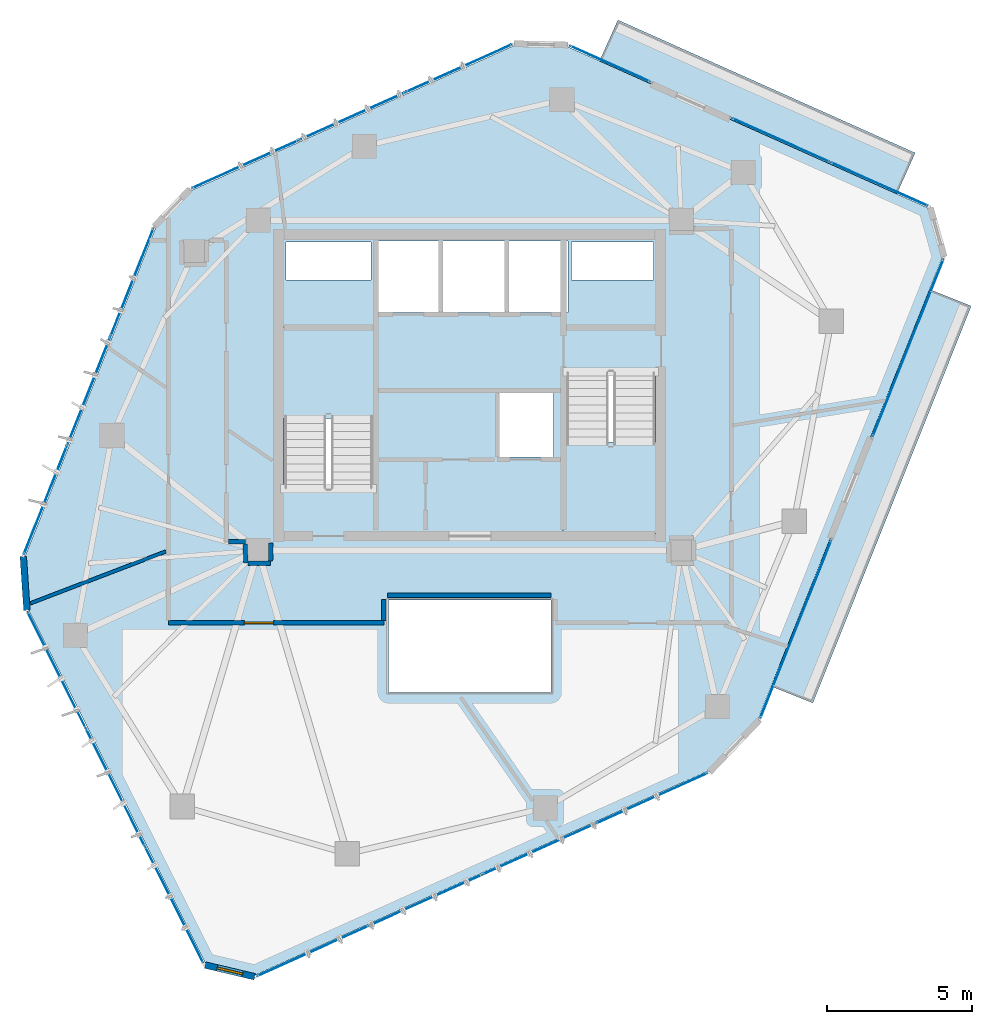
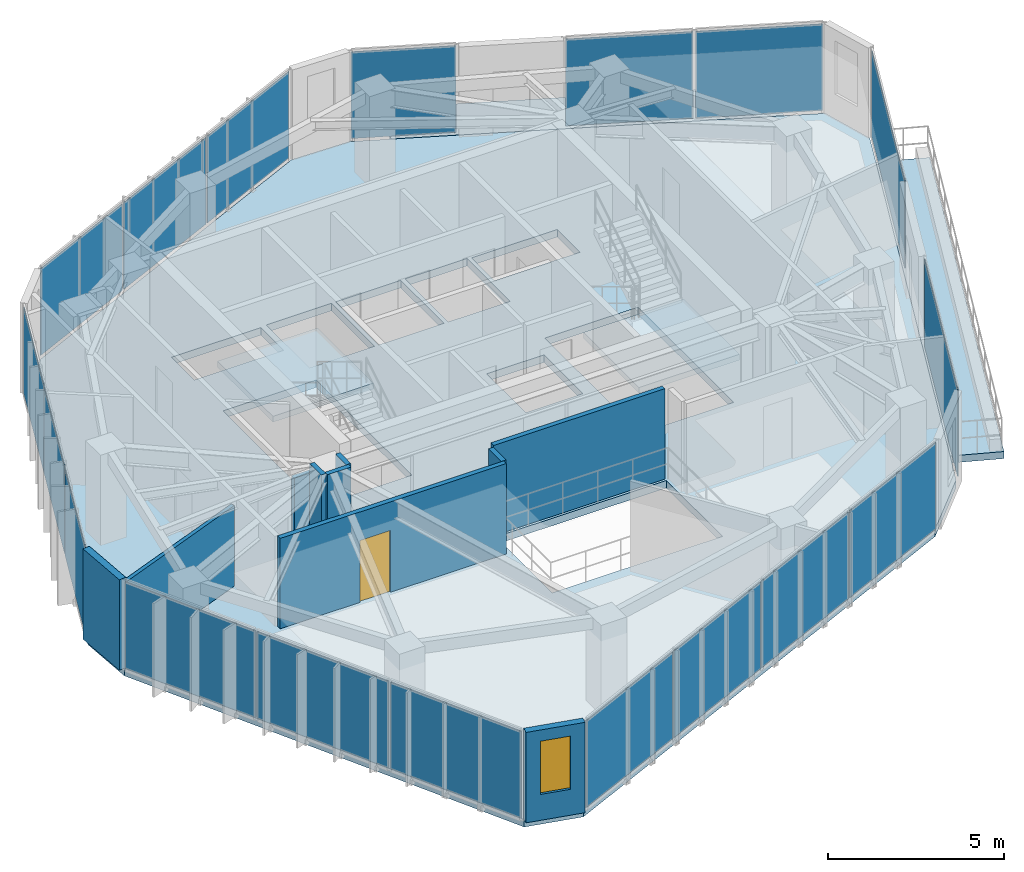
# One storey, part 16 of 21: 18 plates, 10 walls, 5 slabs, 1 door, 1 window, 2 openings, 10 elements without a shape of their own.
"""IFC4 building model written with IfcOpenShell, lengths in metres."""

from ifc_helpers import new_model, si_unit, direction, frame, frame_2d, origin, origin_2d, place, context, subcontext, project, spatial, polyline, rectangle, outline, extrude, source, transform, mapped, material, layer, layer_set, type_object, type_shapes, element, fill, aggregate, save


model = new_model("IFC4")

# Units and contexts
model_context = context("Model", 3, precision=1e-05, world=origin(), true_north=direction((0.0, 1.0)))
body_context = subcontext(model_context, "Body", "Model", "MODEL_VIEW")
ifc_project = project(units=[si_unit("LENGTHUNIT", "METRE"), si_unit("AREAUNIT", "SQUARE_METRE"), si_unit("VOLUMEUNIT", "CUBIC_METRE"), si_unit("PLANEANGLEUNIT", "RADIAN"), si_unit("MASSUNIT", "GRAM", prefix="KILO")], contexts=[model_context])

# Site, building, storey
site_placement = place(None, origin())
site = spatial("IfcSite", under=ifc_project, at=site_placement, CompositionType="ELEMENT")
building_placement = place(site_placement, origin())
building = spatial("IfcBuilding", under=site, at=building_placement, Name="Talar Marvaseh", CompositionType="ELEMENT")
storey_placement = place(building_placement, frame((0.0, 0.0, 271.39990234375)))
storey = spatial("IfcBuildingStorey", under=building, at=storey_placement, Name="L72", CompositionType="ELEMENT", Elevation=271.39990234375)

# Slabs
ifc_material_1 = material(Name="Concrete C40/50", Category="concrete")
ifc_layer_1 = layer(ifc_material_1, 0.2451171875)
ifc_layer_set_1 = layer_set([ifc_layer_1], Name="Concrete C40/50")
slab_type_1 = type_object("IfcSlabType", Name="External Cantilevered Planted Terrace Slab 245", PredefinedType="FLOOR", material=ifc_layer_set_1)
slab_1_placement = place(storey_placement, frame((0.0, 0.0, -0.244873046875)))
element("IfcSlab", 1, at=slab_1_placement, inside=storey, type_object=slab_type_1, Name="L72 Planted Balcony Terrace 1", PredefinedType="FLOOR", context=body_context, shape_type="SweptSolid", body=[
    extrude(outline(polyline([(30.482666015625, 42.391357421875), (40.738525390625, 37.804443359375), (41.371337890625, 39.219482421875), (31.115478515625, 43.80615234375), (30.482666015625, 42.391357421875)])), origin(), (0.0, 0.0, 1.0), 0.244873046875),
])
slab_2_placement = place(storey_placement, frame((0.0, 0.0, -0.244873046875)))
element("IfcSlab", 2, at=slab_2_placement, inside=storey, type_object=slab_type_1, Name="L72 Planted Balcony Terrace 2", PredefinedType="FLOOR", context=body_context, shape_type="SweptSolid", body=[
    extrude(outline(polyline([(41.868408203125, 34.5087890625), (36.40234375, 20.814208984375), (37.842041015625, 20.239501953125), (43.30810546875, 33.93408203125), (41.868408203125, 34.5087890625)])), origin(), (0.0, 0.0, 1.0), 0.244873046875),
])

# Stair, slab
stair_type = type_object("IfcStairType", Name="Reinforced Concrete High-Rise Exit Stair Type C", PredefinedType="HALF_TURN_STAIR", material=ifc_material_1)
stair_1_placement = place(storey_placement, origin())
stair_1 = element("IfcStair", 3, at=stair_1_placement, inside=storey, type_object=stair_type, Name="L72 Tower West Core Exit Stair", PredefinedType="HALF_TURN_STAIR")
ifc_layer_2 = layer(ifc_material_1, 0.199951171875)
ifc_layer_set_2 = layer_set([ifc_layer_2], Name="Concrete C40/50")
slab_type_2 = type_object("IfcSlabType", Name="Reinforced Concrete Stair Half-Landing Slab 200", PredefinedType="LANDING", material=ifc_layer_set_2)
slab_3_placement = place(storey_placement, frame((0.0, 0.0, 1.5)))
slab_3 = element("IfcSlab", 4, at=slab_3_placement, type_object=slab_type_2, Name="ST-1 landing 1", PredefinedType="LANDING", context=body_context, shape_type="SweptSolid", body=[
    extrude(outline(polyline([(22.780029296875, 30.050048828125), (22.780029296875, 33.219970703125), (19.47998046875, 33.219970703125), (19.47998046875, 30.050048828125), (22.780029296875, 30.050048828125)])), origin(), (0.0, 0.0, 1.0), 0.2001953125),
])
aggregate(stair_1, [slab_3])

stair_2_placement = place(storey_placement, origin())
stair_2 = element("IfcStair", 5, at=stair_2_placement, inside=storey, type_object=stair_type, Name="L72 Tower East Core Exit Stair", PredefinedType="HALF_TURN_STAIR")
slab_4_placement = place(storey_placement, frame((0.0, 0.0, 1.5)))
slab_4 = element("IfcSlab", 6, at=slab_4_placement, type_object=slab_type_2, Name="ST-2 landing 1", PredefinedType="LANDING", context=body_context, shape_type="SweptSolid", body=[
    extrude(outline(polyline([(29.219970703125, 29.25), (29.219970703125, 26.080078125), (32.52001953125, 26.080078125), (32.52001953125, 29.25), (29.219970703125, 29.25)])), origin(), (0.0, 0.0, 1.0), 0.2001953125),
])
aggregate(stair_2, [slab_4])

# Slab
ifc_layer_3 = layer(ifc_material_1, 0.260009765625)
ifc_layer_set_3 = layer_set([ifc_layer_3], Name="Concrete C40/50")
slab_type_3 = type_object("IfcSlabType", Name="Structural Suspended Floor Slab 260", PredefinedType="FLOOR", material=ifc_layer_set_3)
slab_5_placement = place(storey_placement, frame((0.0, 0.0, -0.260009765625)))
element("IfcSlab", 7, at=slab_5_placement, inside=storey, type_object=slab_type_3, Name="L72 Tower Floor Slab", PredefinedType="FLOOR", context=body_context, shape_type="SweptSolid", body=[
    extrude(outline(polyline([(18.59619140625, 10.847900390625), (16.885498046875, 11.2529296875), (10.78125, 23.445068359375), (10.65576171875, 25.297119140625), (15.165283203125, 36.6396484375), (16.396484375, 37.92578125), (27.531494140625, 42.92578125), (29.38720703125, 42.881103515625), (41.833984375, 37.314697265625), (42.313232421875, 35.623291015625), (35.95751953125, 19.69970703125), (34.227294921875, 17.89208984375), (18.59619140625, 10.847900390625)]), holes=[polyline([(22.659912109375, 27.64990234375), (22.659912109375, 33.10009765625), (19.60009765625, 33.10009765625), (19.60009765625, 27.64990234375), (22.659912109375, 27.64990234375)]), polyline([(29.340087890625, 31.64990234375), (29.340087890625, 26.199951171875), (32.39990234375, 26.199951171875), (32.39990234375, 31.64990234375), (29.340087890625, 31.64990234375)]), polyline([(22.800048828125, 33.719970703125), (24.93994140625, 33.719970703125), (24.93994140625, 36.179931640625), (22.800048828125, 36.179931640625), (22.800048828125, 33.719970703125)]), polyline([(25.080078125, 33.719970703125), (27.219970703125, 33.719970703125), (27.219970703125, 36.179931640625), (25.080078125, 36.179931640625), (25.080078125, 33.719970703125)]), polyline([(27.360107421875, 33.719970703125), (29.39990234375, 33.719970703125), (29.39990234375, 36.179931640625), (27.360107421875, 36.179931640625), (27.360107421875, 33.719970703125)]), polyline([(27.02001953125, 28.719970703125), (28.89990234375, 28.719970703125), (28.89990234375, 30.93994140625), (27.02001953125, 30.93994140625), (27.02001953125, 28.719970703125)]), polyline([(19.659912109375, 34.840087890625), (22.60009765625, 34.840087890625), (22.60009765625, 36.139892578125), (19.659912109375, 36.139892578125), (19.659912109375, 34.840087890625)]), polyline([(29.52001953125, 34.840087890625), (32.340087890625, 34.840087890625), (32.340087890625, 36.139892578125), (29.52001953125, 36.139892578125), (29.52001953125, 34.840087890625)]), polyline([(23.199951171875, 20.60009765625), (28.800048828125, 20.60009765625), (28.800048828125, 23.800048828125), (23.199951171875, 23.800048828125), (23.199951171875, 20.60009765625)])]), origin(), (0.0, 0.0, 1.0), 0.260009765625),
])

# Curtain wall, plates
ifc_material_2 = material(Name="Architectural Aluminium", Category="aluminium")
ifc_layer_4 = layer(ifc_material_2, 0.179931640625)
ifc_layer_set_4 = layer_set([ifc_layer_4], Name="Architectural Aluminium")
curtain_wall_type = type_object("IfcCurtainWallType", Name="Unitised High-Wind Sky Curtain Wall Z4", PredefinedType="NOTDEFINED", material=ifc_layer_set_4)
curtain_wall_1_placement = place(storey_placement, origin())
curtain_wall_1 = element("IfcCurtainWall", 8, at=curtain_wall_1_placement, inside=storey, type_object=curtain_wall_type, Name="L72 Unitised High-Wind Sky Curtain Wall Z4", PredefinedType="NOTDEFINED")
ifc_material_3 = material(Name="Laminated Low-E Solar Glass", Category="glass")
ifc_layer_5 = layer(ifc_material_3, 0.028076171875)
ifc_layer_set_5 = layer_set([ifc_layer_5], Name="Laminated Low-E Solar Glass")
plate_type = type_object("IfcPlateType", Name="Double-Glazed Low-E Vision Curtain Panel 28", PredefinedType="CURTAIN_PANEL", material=ifc_layer_set_5)
shared_shape_1 = source(origin(), body_context, "Body", "SweptSolid", [
    extrude(rectangle(XDim=4.447509765625, YDim=0.028076171875, at=origin_2d()), origin(), (0.0, 0.0, 1.0), 3.010009765625),
])
plate_1_placement = place(storey_placement, frame((15.80712890625, 13.272705078125, 0.06494140625), z_axis=(0.0, 0.0, 1.0), x_axis=(-0.447694654763, 0.894186499617, 0.0)))
plate_1 = element("IfcPlate", 9, at=plate_1_placement, type_object=plate_type, Name="CW-Z4 panel 1.1", PredefinedType="CURTAIN_PANEL", context=body_context, shape_type="MappedRepresentation", body=[
    mapped(shared_shape_1, transform((0.0, 0.0, 0.0), x_axis=(1.0, 0.0, 0.0), y_axis=(0.0, 1.0, 0.0), z_axis=(0.0, 0.0, 1.0), scale=1.0)),
])
plate_2_placement = place(storey_placement, frame((11.752197265625, 21.37158203125, 0.06494140625), z_axis=(0.0, 0.0, 1.0), x_axis=(-0.447694654763, 0.894186499617, 0.0)))
plate_2 = element("IfcPlate", 10, at=plate_2_placement, type_object=plate_type, Name="CW-Z4 panel 3.1", PredefinedType="CURTAIN_PANEL", context=body_context, shape_type="MappedRepresentation", body=[
    mapped(shared_shape_1, transform((0.0, 0.0, 0.0), x_axis=(1.0, 0.0, 0.0), y_axis=(0.0, 1.0, 0.0), z_axis=(0.0, 0.0, 1.0), scale=1.0)),
])
shared_shape_2 = source(origin(), body_context, "Body", "SweptSolid", [
    extrude(rectangle(XDim=4.47998046875, YDim=0.028076171875, at=origin_2d()), origin(), (0.0, 0.0, 1.0), 3.010009765625),
])
plate_3_placement = place(storey_placement, frame((13.779541015625, 17.322021484375, 0.06494140625), z_axis=(0.0, 0.0, 1.0), x_axis=(-0.447694654763, 0.894186499617, 0.0)))
plate_3 = element("IfcPlate", 11, at=plate_3_placement, type_object=plate_type, Name="CW-Z4 panel 2.1", PredefinedType="CURTAIN_PANEL", context=body_context, shape_type="MappedRepresentation", body=[
    mapped(shared_shape_2, transform((0.0, 0.0, 0.0), x_axis=(1.0, 0.0, 0.0), y_axis=(0.0, 1.0, 0.0), z_axis=(0.0, 0.0, 1.0), scale=1.0)),
])
aggregate(curtain_wall_1, [plate_1, plate_3, plate_2])

curtain_wall_2_placement = place(storey_placement, origin())
curtain_wall_2 = element("IfcCurtainWall", 12, at=curtain_wall_2_placement, inside=storey, type_object=curtain_wall_type, Name="L72 Unitised High-Wind Sky Curtain Wall Z4", PredefinedType="NOTDEFINED")
shared_shape_3 = source(origin(), body_context, "Body", "SweptSolid", [
    extrude(rectangle(XDim=3.97119140625, YDim=0.028076171875, at=origin_2d()), origin(), (0.0, 0.0, 1.0), 3.010009765625),
])
plate_4_placement = place(storey_placement, frame((11.357421875, 27.224853515625, 0.06494140625), z_axis=(0.0, 0.0, 1.0), x_axis=(0.369450452893, 0.929250430647, 0.0)))
plate_4 = element("IfcPlate", 13, at=plate_4_placement, type_object=plate_type, Name="CW-Z4 panel 1.1", PredefinedType="CURTAIN_PANEL", context=body_context, shape_type="MappedRepresentation", body=[
    mapped(shared_shape_3, transform((0.0, 0.0, 0.0), x_axis=(1.0, 0.0, 0.0), y_axis=(0.0, 1.0, 0.0), z_axis=(0.0, 0.0, 1.0), scale=1.0)),
])
plate_5_placement = place(storey_placement, frame((14.351806640625, 34.75634765625, 0.06494140625), z_axis=(0.0, 0.0, 1.0), x_axis=(0.369450452893, 0.929250430647, 0.0)))
plate_5 = element("IfcPlate", 14, at=plate_5_placement, type_object=plate_type, Name="CW-Z4 panel 3.1", PredefinedType="CURTAIN_PANEL", context=body_context, shape_type="MappedRepresentation", body=[
    mapped(shared_shape_3, transform((0.0, 0.0, 0.0), x_axis=(1.0, 0.0, 0.0), y_axis=(0.0, 1.0, 0.0), z_axis=(0.0, 0.0, 1.0), scale=1.0)),
])

curtain_wall_3_placement = place(storey_placement, origin())
curtain_wall_3 = element("IfcCurtainWall", 15, at=curtain_wall_3_placement, inside=storey, type_object=curtain_wall_type, Name="L72 Unitised High-Wind Sky Curtain Wall Z4", PredefinedType="NOTDEFINED")
plate_6_placement = place(storey_placement, frame((18.242431640625, 38.820556640625, 0.06494140625), z_axis=(0.0, 0.0, 1.0), x_axis=(0.91224941563, 0.409635208061, 0.0)))
plate_6 = element("IfcPlate", 16, at=plate_6_placement, type_object=plate_type, Name="CW-Z4 panel 1.1", PredefinedType="CURTAIN_PANEL", context=body_context, shape_type="MappedRepresentation", body=[
    mapped(shared_shape_3, transform((0.0, 0.0, 0.0), x_axis=(1.0, 0.0, 0.0), y_axis=(0.0, 1.0, 0.0), z_axis=(0.0, 0.0, 1.0), scale=1.0)),
])
plate_7_placement = place(storey_placement, frame((25.63623046875, 42.140625, 0.06494140625), z_axis=(0.0, 0.0, 1.0), x_axis=(0.91224941563, 0.409635208061, 0.0)))
plate_7 = element("IfcPlate", 17, at=plate_7_placement, type_object=plate_type, Name="CW-Z4 panel 3.1", PredefinedType="CURTAIN_PANEL", context=body_context, shape_type="MappedRepresentation", body=[
    mapped(shared_shape_3, transform((0.0, 0.0, 0.0), x_axis=(1.0, 0.0, 0.0), y_axis=(0.0, 1.0, 0.0), z_axis=(0.0, 0.0, 1.0), scale=1.0)),
])

# Plate
shared_shape_4 = source(origin(), body_context, "Body", "SweptSolid", [
    extrude(rectangle(XDim=4.003662109375, YDim=0.028076171875, at=origin_2d()), origin(), (0.0, 0.0, 1.0), 3.010009765625),
])
plate_8_placement = place(storey_placement, frame((12.854736328125, 30.990478515625, 0.06494140625), z_axis=(0.0, 0.0, 1.0), x_axis=(0.369450452893, 0.929250430647, 0.0)))
plate_8 = element("IfcPlate", 18, at=plate_8_placement, type_object=plate_type, Name="CW-Z4 panel 2.1", PredefinedType="CURTAIN_PANEL", context=body_context, shape_type="MappedRepresentation", body=[
    mapped(shared_shape_4, transform((0.0, 0.0, 0.0), x_axis=(1.0, 0.0, 0.0), y_axis=(0.0, 1.0, 0.0), z_axis=(0.0, 0.0, 1.0), scale=1.0)),
])

aggregate(curtain_wall_2, [plate_4, plate_8, plate_5])

plate_9_placement = place(storey_placement, frame((21.939453125, 40.48046875, 0.06494140625), z_axis=(0.0, 0.0, 1.0), x_axis=(0.91224941563, 0.409635208061, 0.0)))
plate_9 = element("IfcPlate", 19, at=plate_9_placement, type_object=plate_type, Name="CW-Z4 panel 2.1", PredefinedType="CURTAIN_PANEL", context=body_context, shape_type="MappedRepresentation", body=[
    mapped(shared_shape_4, transform((0.0, 0.0, 0.0), x_axis=(1.0, 0.0, 0.0), y_axis=(0.0, 1.0, 0.0), z_axis=(0.0, 0.0, 1.0), scale=1.0)),
])

aggregate(curtain_wall_3, [plate_6, plate_9, plate_7])

# Curtain wall, plates
curtain_wall_4_placement = place(storey_placement, origin())
curtain_wall_4 = element("IfcCurtainWall", 20, at=curtain_wall_4_placement, inside=storey, type_object=curtain_wall_type, Name="L72 Unitised High-Wind Sky Curtain Wall Z4", PredefinedType="NOTDEFINED")
shared_shape_5 = source(origin(), body_context, "Body", "SweptSolid", [
    extrude(rectangle(XDim=4.188720703125, YDim=0.028076171875, at=origin_2d()), origin(), (0.0, 0.0, 1.0), 3.010009765625),
])
plate_10_placement = place(storey_placement, frame((32.283203125, 16.9501953125, 0.06494140625), z_axis=(0.0, 0.0, 1.0), x_axis=(-0.9116986288, -0.410859599187, 0.0)))
plate_10 = element("IfcPlate", 21, at=plate_10_placement, type_object=plate_type, Name="CW-Z4 panel 1.1", PredefinedType="CURTAIN_PANEL", context=body_context, shape_type="MappedRepresentation", body=[
    mapped(shared_shape_5, transform((0.0, 0.0, 0.0), x_axis=(1.0, 0.0, 0.0), y_axis=(0.0, 1.0, 0.0), z_axis=(0.0, 0.0, 1.0), scale=1.0)),
])
plate_11_placement = place(storey_placement, frame((20.589599609375, 11.680419921875, 0.06494140625), z_axis=(0.0, 0.0, 1.0), x_axis=(-0.9116986288, -0.410859599187, 0.0)))
plate_11 = element("IfcPlate", 22, at=plate_11_placement, type_object=plate_type, Name="CW-Z4 panel 4.1", PredefinedType="CURTAIN_PANEL", context=body_context, shape_type="MappedRepresentation", body=[
    mapped(shared_shape_5, transform((0.0, 0.0, 0.0), x_axis=(1.0, 0.0, 0.0), y_axis=(0.0, 1.0, 0.0), z_axis=(0.0, 0.0, 1.0), scale=1.0)),
])
shared_shape_6 = source(origin(), body_context, "Body", "SweptSolid", [
    extrude(rectangle(XDim=4.22119140625, YDim=0.028076171875, at=origin_2d()), origin(), (0.0, 0.0, 1.0), 3.010009765625),
])
plate_12_placement = place(storey_placement, frame((28.39013671875, 15.19580078125, 0.06494140625), z_axis=(0.0, 0.0, 1.0), x_axis=(-0.9116986288, -0.410859599187, 0.0)))
plate_12 = element("IfcPlate", 23, at=plate_12_placement, type_object=plate_type, Name="CW-Z4 panel 2.1", PredefinedType="CURTAIN_PANEL", context=body_context, shape_type="MappedRepresentation", body=[
    mapped(shared_shape_6, transform((0.0, 0.0, 0.0), x_axis=(1.0, 0.0, 0.0), y_axis=(0.0, 1.0, 0.0), z_axis=(0.0, 0.0, 1.0), scale=1.0)),
])
plate_13_placement = place(storey_placement, frame((24.482421875, 13.434814453125, 0.06494140625), z_axis=(0.0, 0.0, 1.0), x_axis=(-0.9116986288, -0.410859599187, 0.0)))
plate_13 = element("IfcPlate", 24, at=plate_13_placement, type_object=plate_type, Name="CW-Z4 panel 3.1", PredefinedType="CURTAIN_PANEL", context=body_context, shape_type="MappedRepresentation", body=[
    mapped(shared_shape_6, transform((0.0, 0.0, 0.0), x_axis=(1.0, 0.0, 0.0), y_axis=(0.0, 1.0, 0.0), z_axis=(0.0, 0.0, 1.0), scale=1.0)),
])
aggregate(curtain_wall_4, [plate_10, plate_12, plate_13, plate_11])

# Curtain wall, plate
curtain_wall_5_placement = place(storey_placement, origin())
curtain_wall_5 = element("IfcCurtainWall", 25, at=curtain_wall_5_placement, inside=storey, type_object=curtain_wall_type, Name="L72 Unitised High-Wind Sky Curtain Wall Z4", PredefinedType="NOTDEFINED")
shared_shape_7 = source(origin(), body_context, "Body", "SweptSolid", [
    extrude(rectangle(XDim=6.556640625, YDim=0.028076171875, at=origin_2d()), origin(), (0.0, 0.0, 1.0), 3.010009765625),
])
plate_14_placement = place(storey_placement, frame((41.129638671875, 32.495849609375, 0.06494140625), z_axis=(0.0, 0.0, 1.0), x_axis=(-0.370696956344, -0.928753878354, 0.0)))
plate_14 = element("IfcPlate", 26, at=plate_14_placement, type_object=plate_type, Name="CW-Z4 panel 1.1", PredefinedType="CURTAIN_PANEL", context=body_context, shape_type="MappedRepresentation", body=[
    mapped(shared_shape_7, transform((0.0, 0.0, 0.0), x_axis=(1.0, 0.0, 0.0), y_axis=(0.0, 1.0, 0.0), z_axis=(0.0, 0.0, 1.0), scale=1.0)),
])
aggregate(curtain_wall_5, [plate_14])

curtain_wall_6_placement = place(storey_placement, origin())
curtain_wall_6 = element("IfcCurtainWall", 27, at=curtain_wall_6_placement, inside=storey, type_object=curtain_wall_type, Name="L72 Unitised High-Wind Sky Curtain Wall Z4", PredefinedType="NOTDEFINED")
plate_15_placement = place(storey_placement, frame((37.252685546875, 22.78271484375, 0.06494140625), z_axis=(0.0, 0.0, 1.0), x_axis=(-0.370696956344, -0.928753878354, 0.0)))
plate_15 = element("IfcPlate", 28, at=plate_15_placement, type_object=plate_type, Name="CW-Z4 panel 1.1", PredefinedType="CURTAIN_PANEL", context=body_context, shape_type="MappedRepresentation", body=[
    mapped(shared_shape_7, transform((0.0, 0.0, 0.0), x_axis=(1.0, 0.0, 0.0), y_axis=(0.0, 1.0, 0.0), z_axis=(0.0, 0.0, 1.0), scale=1.0)),
])
aggregate(curtain_wall_6, [plate_15])

curtain_wall_7_placement = place(storey_placement, origin())
curtain_wall_7 = element("IfcCurtainWall", 29, at=curtain_wall_7_placement, inside=storey, type_object=curtain_wall_type, Name="L72 Unitised High-Wind Sky Curtain Wall Z4", PredefinedType="NOTDEFINED")
shared_shape_8 = source(origin(), body_context, "Body", "SweptSolid", [
    extrude(rectangle(XDim=3.005859375, YDim=0.028076171875, at=origin_2d()), origin(), (0.0, 0.0, 1.0), 3.010009765625),
])
plate_16_placement = place(storey_placement, frame((30.84326171875, 42.2958984375, 0.06494140625), z_axis=(0.0, 0.0, 1.0), x_axis=(0.912863603689, -0.408264670355, 0.0)))
plate_16 = element("IfcPlate", 30, at=plate_16_placement, type_object=plate_type, Name="CW-Z4 panel 1.1", PredefinedType="CURTAIN_PANEL", context=body_context, shape_type="MappedRepresentation", body=[
    mapped(shared_shape_8, transform((0.0, 0.0, 0.0), x_axis=(1.0, 0.0, 0.0), y_axis=(0.0, 1.0, 0.0), z_axis=(0.0, 0.0, 1.0), scale=1.0)),
])
aggregate(curtain_wall_7, [plate_16])

# Curtain wall, plates
curtain_wall_8_placement = place(storey_placement, origin())
curtain_wall_8 = element("IfcCurtainWall", 31, at=curtain_wall_8_placement, inside=storey, type_object=curtain_wall_type, Name="L72 Unitised High-Wind Sky Curtain Wall Z4", PredefinedType="NOTDEFINED")
shared_shape_9 = source(origin(), body_context, "Body", "SweptSolid", [
    extrude(rectangle(XDim=3.652099609375, YDim=0.028076171875, at=origin_2d()), origin(), (0.0, 0.0, 1.0), 3.010009765625),
])
type_shapes(plate_type, [shared_shape_1, shared_shape_2, shared_shape_3, shared_shape_4, shared_shape_5, shared_shape_6, shared_shape_7, shared_shape_8, shared_shape_9])
plate_17_placement = place(storey_placement, frame((36.739013671875, 39.658935546875, 0.06494140625), z_axis=(0.0, 0.0, 1.0), x_axis=(0.912863245365, -0.408265471552, 0.0)))
plate_17 = element("IfcPlate", 32, at=plate_17_placement, type_object=plate_type, Name="CW-Z4 panel 1.1", PredefinedType="CURTAIN_PANEL", context=body_context, shape_type="MappedRepresentation", body=[
    mapped(shared_shape_9, transform((0.0, 0.0, 0.0), x_axis=(1.0, 0.0, 0.0), y_axis=(0.0, 1.0, 0.0), z_axis=(0.0, 0.0, 1.0), scale=1.0)),
])
plate_18_placement = place(storey_placement, frame((40.132080078125, 38.141357421875, 0.06494140625), z_axis=(0.0, 0.0, 1.0), x_axis=(0.912863245365, -0.408265471552, 0.0)))
plate_18 = element("IfcPlate", 33, at=plate_18_placement, type_object=plate_type, Name="CW-Z4 panel 2.1", PredefinedType="CURTAIN_PANEL", context=body_context, shape_type="MappedRepresentation", body=[
    mapped(shared_shape_9, transform((0.0, 0.0, 0.0), x_axis=(1.0, 0.0, 0.0), y_axis=(0.0, 1.0, 0.0), z_axis=(0.0, 0.0, 1.0), scale=1.0)),
])
aggregate(curtain_wall_8, [plate_17, plate_18])

# Wall, opening, window
ifc_material_4 = material(Name="Precast concrete C45/55", Category="concrete")
ifc_layer_6 = layer(ifc_material_4, 0.22509765625)
ifc_layer_set_6 = layer_set([ifc_layer_6], Name="Precast concrete C45/55")
wall_type_1 = type_object("IfcWallType", Name="Chamfered Hexagonal Corner Pier Wall Z4 225", PredefinedType="SOLIDWALL", material=ifc_layer_set_6)
wall_1_placement = place(storey_placement, frame((18.582275390625, 10.78955078125, 0.0), z_axis=(0.0, 0.0, 1.0), x_axis=(-0.973097496176, 0.230393712881, 0.0)))
wall_1 = element("IfcWall", 34, at=wall_1_placement, inside=storey, type_object=wall_type_1, Name="L72 Chamfered Corner Limestone Pier 1", PredefinedType="SOLIDWALL", context=body_context, shape_type="SweptSolid", body=[
    extrude(rectangle(XDim=1.758056640625, YDim=0.22509765625, at=frame_2d((0.87890625, 0.0))), origin(), (0.0, 0.0, 1.0), 3.14013671875),
])
opening_1_placement = place(wall_1_placement, frame((0.428955078125, 0.0, 0.89990234375)))
opening_1 = element("IfcOpeningElement", 35, at=opening_1_placement, cuts=wall_1, Name="Opening WN-CHM09", PredefinedType="OPENING", context=body_context, shape_type="SweptSolid", body=[
    extrude(rectangle(XDim=0.89990234375, YDim=1.85009765625, at=frame_2d((0.449951171875, 0.925048828125))), frame((0.0, 0.12255859375, 0.0), z_axis=(0.0, -1.0, 0.0), x_axis=(1.0, 0.0, 0.0)), (0.0, 0.0, 1.0), 0.2451171875),
])
window_type = type_object("IfcWindowType", Name="Zone 4 Chamfered Corner Slot Window 900x1850", PartitioningType="SINGLE_PANEL", PredefinedType="WINDOW", material=ifc_material_3)
shared_shape_10 = source(origin(), body_context, "Body", "SweptSolid", [
    extrude(rectangle(XDim=0.89990234375, YDim=1.85009765625, at=frame_2d((0.449951171875, 0.925048828125))), frame((0.0, 0.030029296875, 0.0), z_axis=(0.0, -1.0, 0.0), x_axis=(1.0, 0.0, 0.0)), (0.0, 0.0, 1.0), 0.06005859375),
])
type_shapes(window_type, [shared_shape_10])
window_placement = place(opening_1_placement, origin())
window = element("IfcWindow", 36, at=window_placement, inside=storey, type_object=window_type, Name="L72 Chamfered Corner Slot Window", OverallHeight=1.85009765625, OverallWidth=0.89990234375, PartitioningType="SINGLE_PANEL", PredefinedType="WINDOW", context=body_context, shape_type="MappedRepresentation", body=[
    mapped(shared_shape_10, transform((0.0, 0.0, 0.0), x_axis=(1.0, 0.0, 0.0), y_axis=(0.0, 1.0, 0.0), z_axis=(0.0, 0.0, 1.0), scale=1.0)),
])
fill(opening_1, window)

# Wall
wall_2_placement = place(storey_placement, frame((10.72119140625, 23.44091796875, 0.0), z_axis=(0.0, 0.0, 1.0), x_axis=(-0.067592525004, 0.99771301012, 0.0)))
element("IfcWall", 37, at=wall_2_placement, inside=storey, type_object=wall_type_1, Name="L72 Chamfered Corner Limestone Pier 2", PredefinedType="SOLIDWALL", context=body_context, shape_type="SweptSolid", body=[
    extrude(rectangle(XDim=1.8564453125, YDim=0.22509765625, at=frame_2d((0.92822265625, 0.0))), origin(), (0.0, 0.0, 1.0), 3.14013671875),
])

# Wall, opening, door
ifc_material_5 = material(Name="Gypsum Board Partition Assembly")
ifc_layer_7 = layer(ifc_material_5, 0.155029296875)
ifc_layer_set_7 = layer_set([ifc_layer_7], Name="Gypsum Board Partition Assembly")
wall_type_2 = type_object("IfcWallType", Name="Corridor Fire-Rated Acoustic Partition 155", PredefinedType="PARTITIONING", material=ifc_layer_set_7)
wall_3_placement = place(storey_placement, frame((23.0400390625, 23.0, 0.0), z_axis=(0.0, 0.0, 1.0), x_axis=(-1.0, 0.0, 0.0)))
wall_3 = element("IfcWall", 38, at=wall_3_placement, inside=storey, type_object=wall_type_2, Name="L72 Interior Partition Wall", PredefinedType="PARTITIONING", context=body_context, shape_type="SweptSolid", body=[
    extrude(rectangle(XDim=7.43994140625, YDim=0.155029296875, at=frame_2d((3.719970703125, 0.0))), origin(), (0.0, 0.0, 1.0), 3.14013671875),
])
opening_2_placement = place(wall_3_placement, frame((3.815185546875, 0.0, 0.0)))
opening_2 = element("IfcOpeningElement", 39, at=opening_2_placement, cuts=wall_3, Name="Opening DR-RM100", PredefinedType="OPENING", context=body_context, shape_type="SweptSolid", body=[
    extrude(rectangle(XDim=1.0, YDim=2.14990234375, at=frame_2d((0.5, 1.074951171875))), frame((0.0, 0.08740234375, 0.0), z_axis=(0.0, -1.0, 0.0), x_axis=(1.0, 0.0, 0.0)), (0.0, 0.0, 1.0), 0.175048828125),
])
ifc_material_6 = material(Name="Acoustic Engineered Oak Timber", Category="wood")
door_type = type_object("IfcDoorType", Name="Corridor Fire-Rated Gallery Door 1000x2150", OperationType="NOTDEFINED", PredefinedType="DOOR", material=ifc_material_6)
shared_shape_11 = source(origin(), body_context, "Body", "SweptSolid", [
    extrude(rectangle(XDim=1.0, YDim=2.14990234375, at=frame_2d((0.5, 1.074951171875))), frame((0.0, 0.02490234375, 0.0), z_axis=(0.0, -1.0, 0.0), x_axis=(1.0, 0.0, 0.0)), (0.0, 0.0, 1.0), 0.050048828125),
])
type_shapes(door_type, [shared_shape_11])
door_placement = place(opening_2_placement, origin())
door = element("IfcDoor", 40, at=door_placement, inside=storey, type_object=door_type, Name="L72 Museum Publication Bookshop Door", OperationType="SINGLE_SWING_LEFT", OverallHeight=2.14990234375, OverallWidth=1.0, PredefinedType="DOOR", context=body_context, shape_type="MappedRepresentation", body=[
    mapped(shared_shape_11, transform((0.0, 0.0, 0.0), x_axis=(1.0, 0.0, 0.0), y_axis=(0.0, 1.0, 0.0), z_axis=(0.0, 0.0, 1.0), scale=1.0)),
])
fill(opening_2, door)

# Walls
wall_4_placement = place(storey_placement, frame((17.68359375, 25.800048828125, 0.0), z_axis=(0.0, 0.0, 1.0), x_axis=(1.0, 0.0, 0.0)))
element("IfcWall", 41, at=wall_4_placement, inside=storey, type_object=wall_type_2, Name="L72 Interior Partition Wall", PredefinedType="PARTITIONING", context=body_context, shape_type="SweptSolid", body=[
    extrude(rectangle(XDim=0.576416015625, YDim=0.155029296875, at=frame_2d((0.2880859375, 0.0))), origin(), (0.0, 0.0, 1.0), 2.802001953125),
])
wall_5_placement = place(storey_placement, frame((18.260986328125, 25.716552734375, 0.0), z_axis=(0.0, 0.0, 1.0), x_axis=(0.010439401276, -0.999945507966, 0.0)))
element("IfcWall", 42, at=wall_5_placement, inside=storey, type_object=wall_type_2, Name="L72 Interior Partition Wall", PredefinedType="PARTITIONING", context=body_context, shape_type="SweptSolid", body=[
    extrude(rectangle(XDim=0.65478515625, YDim=0.155029296875, at=frame_2d((0.327392578125, 0.0))), origin(), (0.0, 0.0, 1.0), 3.14013671875),
])
wall_6_placement = place(storey_placement, frame((18.351318359375, 25.0615234375, 0.0), z_axis=(0.0, 0.0, 1.0), x_axis=(0.999998207633, -0.001893338355, 0.0)))
element("IfcWall", 43, at=wall_6_placement, inside=storey, type_object=wall_type_2, Name="L72 Interior Partition Wall", PredefinedType="PARTITIONING", context=body_context, shape_type="SweptSolid", body=[
    extrude(rectangle(XDim=0.773681640625, YDim=0.155029296875, at=frame_2d((0.38671875, 0.0))), origin(), (0.0, 0.0, 1.0), 3.14013671875),
])
wall_7_placement = place(storey_placement, frame((19.126708984375, 25.1435546875, 0.0), z_axis=(0.0, 0.0, 1.0), x_axis=(0.021238324089, 0.999774441357, 0.0)))
element("IfcWall", 44, at=wall_7_placement, inside=storey, type_object=wall_type_2, Name="L72 Interior Partition Wall", PredefinedType="PARTITIONING", context=body_context, shape_type="SweptSolid", body=[
    extrude(rectangle(XDim=0.620849609375, YDim=0.155029296875, at=frame_2d((0.310546875, 0.0))), origin(), (0.0, 0.0, 1.0), 3.14013671875),
])
wall_8_placement = place(storey_placement, frame((28.800048828125, 23.9599609375, 0.0), z_axis=(0.0, 0.0, 1.0), x_axis=(-0.999999841177, -0.000563600015, 0.0)))
element("IfcWall", 45, at=wall_8_placement, inside=storey, type_object=wall_type_2, Name="L72 Interior Partition Wall", PredefinedType="PARTITIONING", context=body_context, shape_type="SweptSolid", body=[
    extrude(rectangle(XDim=5.63134765625, YDim=0.155029296875, at=frame_2d((2.815673828125, 0.0))), origin(), (0.0, 0.0, 1.0), 3.14013671875),
])
wall_9_placement = place(storey_placement, frame((23.040771484375, 23.815673828125, 0.0), z_axis=(0.0, 0.0, 1.0), x_axis=(-0.001000332944, -0.999999499667, 0.0)))
element("IfcWall", 46, at=wall_9_placement, inside=storey, type_object=wall_type_2, Name="L72 Interior Partition Wall", PredefinedType="PARTITIONING", context=body_context, shape_type="SweptSolid", body=[
    extrude(rectangle(XDim=0.732177734375, YDim=0.155029296875, at=frame_2d((0.3662109375, 0.0))), origin(), (0.0, 0.0, 1.0), 3.14013671875),
])
ifc_layer_8 = layer(ifc_material_5, 0.1201171875)
ifc_layer_set_8 = layer_set([ifc_layer_8], Name="Gypsum Board Partition Assembly")
wall_type_3 = type_object("IfcWallType", Name="Demountable Studio Room Partition 120", PredefinedType="PARTITIONING", material=ifc_layer_set_8)
wall_10_placement = place(storey_placement, frame((10.851318359375, 23.681396484375, 0.0), z_axis=(0.0, 0.0, 1.0), x_axis=(0.933862308095, 0.357632757896, 0.0)))
element("IfcWall", 47, at=wall_10_placement, inside=storey, type_object=wall_type_3, Name="L72 Interior Partition Wall", PredefinedType="PARTITIONING", context=body_context, shape_type="SweptSolid", body=[
    extrude(rectangle(XDim=4.99560546875, YDim=0.1201171875, at=frame_2d((2.497802734375, 0.0))), origin(), (0.0, 0.0, 1.0), 2.802001953125),
])

save(model, "model.ifc")
